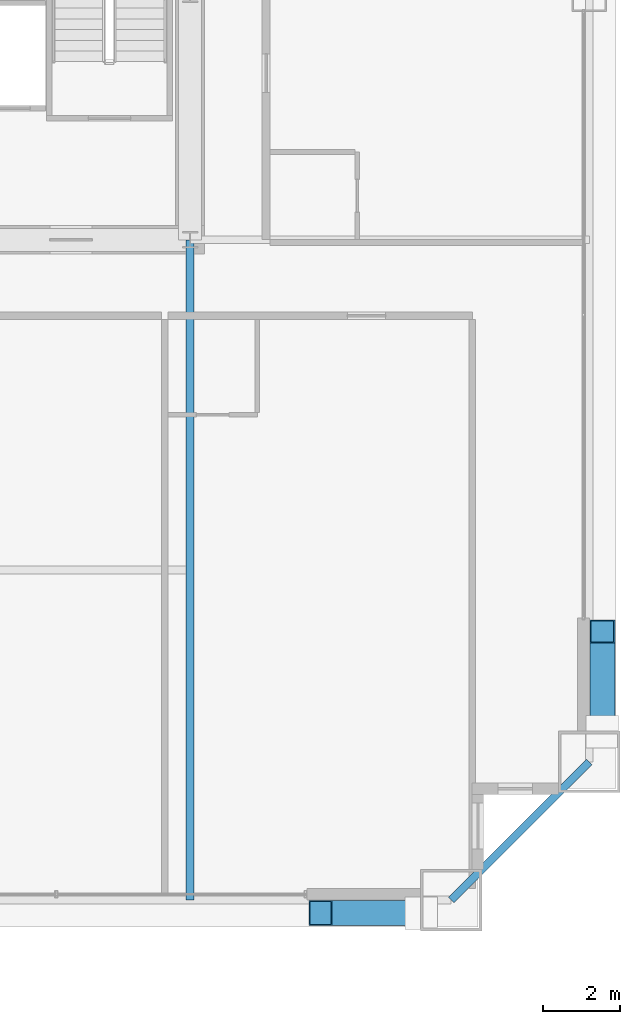
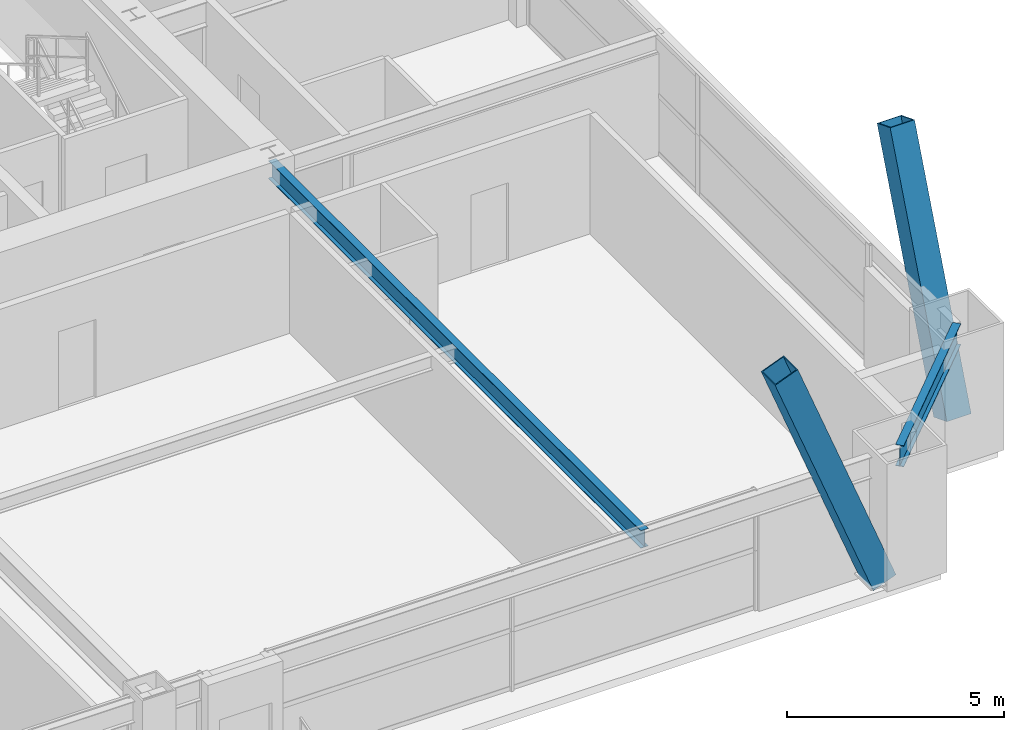
# One storey, part 15 of 41: 2 beams, 2 members.
"""IFC4 building model written with IfcOpenShell, lengths in metres."""

from ifc_helpers import new_model, si_unit, direction, frame, origin, origin_2d, place, context, subcontext, project, spatial, hollow_rectangle, i_section, extrude, source, transform, mapped, material, material_profile, profile_set, type_object, element, save


model = new_model("IFC4")

# Units and contexts
model_context = context("Model", 3, precision=1e-05, world=origin(), true_north=direction((0.0, 1.0)))
body_context = subcontext(model_context, "Body", "Model", "MODEL_VIEW")
ifc_project = project(units=[si_unit("LENGTHUNIT", "METRE"), si_unit("AREAUNIT", "SQUARE_METRE"), si_unit("VOLUMEUNIT", "CUBIC_METRE"), si_unit("PLANEANGLEUNIT", "RADIAN"), si_unit("MASSUNIT", "GRAM", prefix="KILO"), si_unit("THERMODYNAMICTEMPERATUREUNIT", "KELVIN"), si_unit("POWERUNIT", "WATT")], contexts=[model_context])

# Site, building, storey
site_placement = place(None, origin())
site = spatial("IfcSite", under=ifc_project, at=site_placement, CompositionType="ELEMENT")
building_placement = place(site_placement, origin())
building = spatial("IfcBuilding", under=site, at=building_placement, Name="Yuzanri Waterfront Tower", CompositionType="ELEMENT")
storey_placement = place(building_placement, frame((0.0, 0.0, 122.60009765625)))
storey = spatial("IfcBuildingStorey", under=building, at=storey_placement, Name="L32", CompositionType="ELEMENT", Elevation=122.60009765625)

# Beams
ifc_material_1 = material(Name="Steel Q355B", Category="steel")
ifc_material_profile_1 = material_profile(ifc_material_1, i_section(OverallWidth=0.199951171875, OverallDepth=0.60009765625, WebThickness=0.010986328125, FlangeThickness=0.01708984375, at=origin_2d()), Name="HN 600x200x11x17")
ifc_profile_set_1 = profile_set([ifc_material_profile_1], Name="Steel Q355B")
beam_type_1 = type_object("IfcBeamType", Name="Perimeter Spandrel Q355B HN 600x200", PredefinedType="SPANDREL", material=ifc_profile_set_1)
shared_shape_1 = source(origin(), body_context, "Body", "SweptSolid", [
    extrude(i_section(OverallWidth=0.199951171875, OverallDepth=0.60009765625, WebThickness=0.010986328125, FlangeThickness=0.01708984375, at=origin_2d()), origin(), (0.0, 0.0, 1.0), 5.09130859375),
])
beam_1_placement = place(storey_placement, frame((57.0, 2.199951171875, 3.079833984375), z_axis=(0.707106781187, 0.707106781187, 0.0), x_axis=(-0.707106781187, 0.707106781187, 0.0)))
element("IfcBeam", 1, at=beam_1_placement, inside=storey, type_object=beam_type_1, Name="L32 Perimeter Spandrel S3-E1", PredefinedType="SPANDREL", context=body_context, shape_type="MappedRepresentation", body=[
    mapped(shared_shape_1, transform((0.0, 0.0, 0.0), scale=1.0)),
])
ifc_material_2 = material(Name="Steel Q355B", Category="steel")
ifc_material_profile_2 = material_profile(ifc_material_2, i_section(OverallWidth=0.199951171875, OverallDepth=0.5, WebThickness=0.010009765625, FlangeThickness=0.01611328125, at=origin_2d()), Name="HN 500x200x10x16")
ifc_profile_set_2 = profile_set([ifc_material_profile_2], Name="Steel Q355B")
beam_type_2 = type_object("IfcBeamType", Name="Secondary Floor Beam Q355B HN 500x200", PredefinedType="BEAM", material=ifc_profile_set_2)
shared_shape_2 = source(origin(), body_context, "Body", "SweptSolid", [
    extrude(i_section(OverallWidth=0.199951171875, OverallDepth=0.5, WebThickness=0.010009765625, FlangeThickness=0.01611328125, at=origin_2d()), origin(), (0.0, 0.0, 1.0), 17.199951171875),
])
beam_2_placement = place(storey_placement, frame((50.199951171875, 19.39990234375, 3.1298828125), z_axis=(0.0, -1.0, 0.0), x_axis=(1.0, 0.0, 0.0)))
element("IfcBeam", 2, at=beam_2_placement, inside=storey, type_object=beam_type_2, Name="L32 South-East Core Line Beam", PredefinedType="BEAM", context=body_context, shape_type="MappedRepresentation", body=[
    mapped(shared_shape_2, transform((0.0, 0.0, 0.0), scale=1.0)),
])

# Members
ifc_material_3 = material(Name="Steel Q420GJC", Category="steel")
ifc_material_profile_3 = material_profile(ifc_material_3, hollow_rectangle(XDim=0.64990234375, YDim=0.64990234375, WallThickness=0.028076171875, at=origin_2d()), Name="RHS 650x650x28")
ifc_profile_set_3 = profile_set([ifc_material_profile_3], Name="Steel Q420GJC")
member_type = type_object("IfcMemberType", Name="Mega Brace Lower Q420GJC RHS 650x650x28", PredefinedType="BRACE", material=ifc_profile_set_3)
shared_shape_3 = source(origin(), body_context, "Body", "SweptSolid", [
    extrude(hollow_rectangle(XDim=0.64990234375, YDim=0.64990234375, WallThickness=0.028076171875, at=origin_2d()), origin(), (0.0, 0.0, 1.0), 7.19384765625),
])
for number, where, z_axis, x_axis, name in (
    (3, (56.219970703125, 1.860107421875, 0.179931640625), (-0.36417668996, 0.0, 0.9313298763), (0.0, -1.0, 0.0), "L32-L33 Perimeter Mega-Brace S-R"),
    (4, (60.93994140625, 6.580078125, 0.179931640625), (0.0, 0.36417668996, 0.9313298763), (-1.0, 0.0, 0.0), "L32-L33 Perimeter Mega-Brace E-L"),
):
    element("IfcMember", number, at=place(storey_placement, frame(where, z_axis=z_axis, x_axis=x_axis)), inside=storey, type_object=member_type, Name=name, PredefinedType="BRACE", context=body_context, shape_type="MappedRepresentation", body=[
        mapped(shared_shape_3, transform((0.0, 0.0, 0.0), scale=1.0)),
    ])

save(model, "model.ifc")
